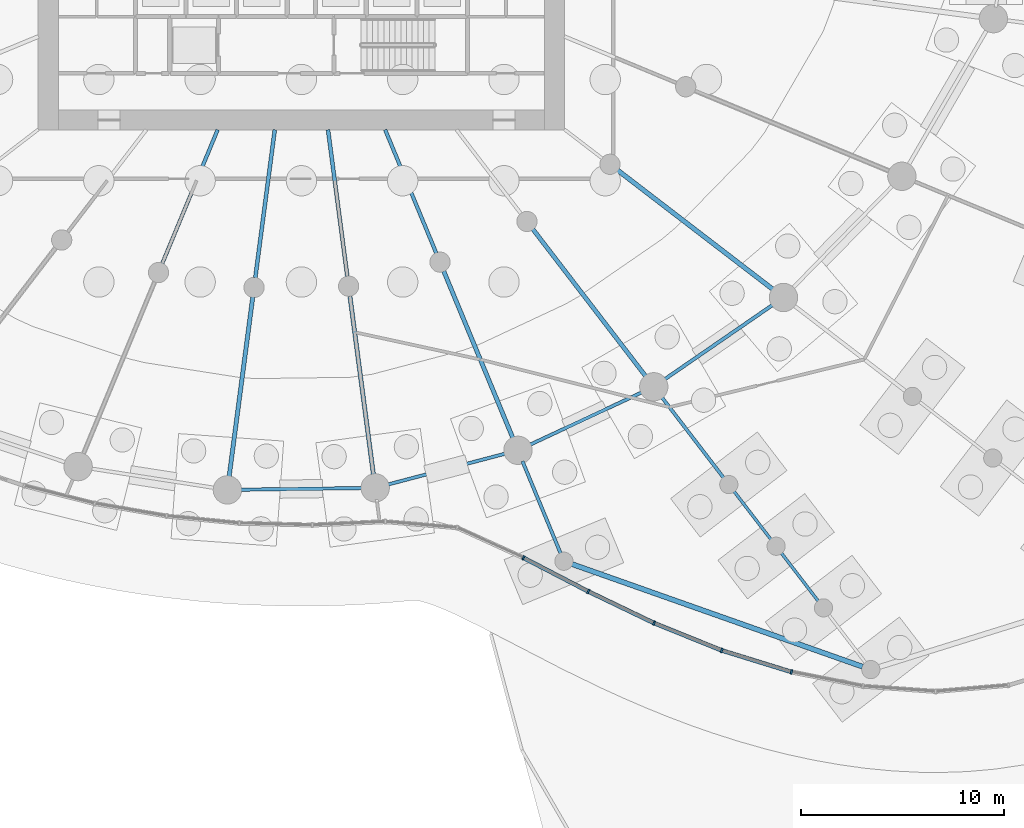
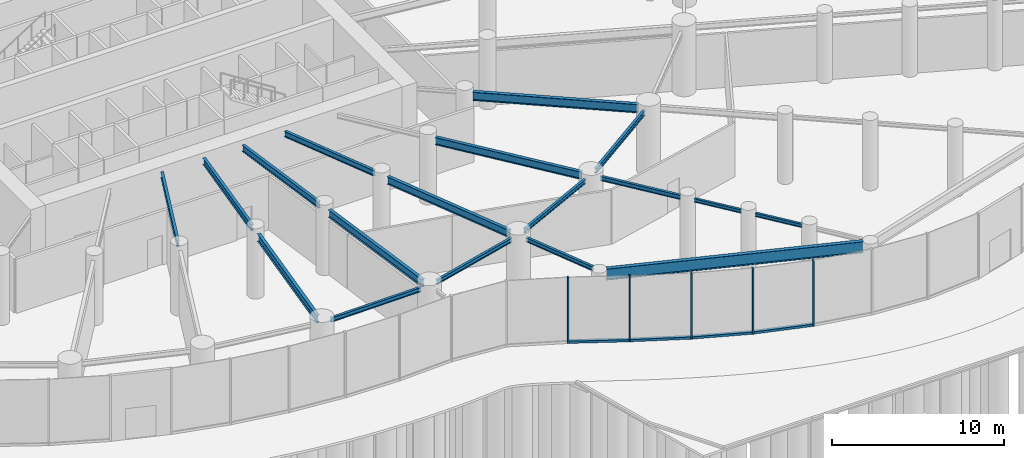
# One storey, part 6 of 28: 18 beams, 9 members, 2 elements without a shape of their own.
"""IFC4 building model written with IfcOpenShell, lengths in metres."""

from ifc_helpers import new_model, si_unit, direction, frame, origin, origin_2d, place, context, subcontext, project, spatial, rectangle, i_section, extrude, source, transform, mapped, material, layer, layer_set, material_profile, profile_set, type_object, element, aggregate, save


model = new_model("IFC4")

# Units and contexts
model_context = context("Model", 3, precision=1e-05, world=origin(), true_north=direction((0.0, 1.0)))
body_context = subcontext(model_context, "Body", "Model", "MODEL_VIEW")
ifc_project = project(units=[si_unit("LENGTHUNIT", "METRE"), si_unit("AREAUNIT", "SQUARE_METRE"), si_unit("VOLUMEUNIT", "CUBIC_METRE"), si_unit("PLANEANGLEUNIT", "RADIAN"), si_unit("MASSUNIT", "GRAM", prefix="KILO")], contexts=[model_context])

# Site, building, storey
site_placement = place(None, origin())
site = spatial("IfcSite", under=ifc_project, at=site_placement, CompositionType="ELEMENT")
building_placement = place(site_placement, origin())
building = spatial("IfcBuilding", under=site, at=building_placement, Name="Spindrift Exchange Tower", CompositionType="ELEMENT")
storey_placement = place(building_placement, origin())
storey = spatial("IfcBuildingStorey", under=building, at=storey_placement, Name="L00", CompositionType="ELEMENT", Elevation=0.0)

# Beams
ifc_material_1 = material(Name="Steel Grade 300", Category="steel")
ifc_material_profile_1 = material_profile(ifc_material_1, i_section(OverallWidth=0.14599609375, OverallDepth=0.251953125, WebThickness=0.006103515625, FlangeThickness=0.008544921875, FilletRadius=0.011962890625, at=origin_2d()), Name="250UB31.4")
ifc_profile_set_1 = profile_set([ifc_material_profile_1], Name="Steel Grade 300")
beam_type_1 = type_object("IfcBeamType", Name="Floor Beam 250UB31.4 Steel Grade 300", PredefinedType="BEAM", material=ifc_profile_set_1)
shared_shape_1 = source(origin(), body_context, "Body", "SweptSolid", [
    extrude(i_section(OverallWidth=0.14599609375, OverallDepth=0.251953125, WebThickness=0.006103515625, FlangeThickness=0.008544921875, FilletRadius=0.011962890625, at=origin_2d()), origin(), (0.0, 0.0, 1.0), 2.978515625),
])
beam_1_placement = place(storey_placement, frame((75.697998046875, 17.1162109375, 4.52392578125), z_axis=(0.608763600102, -0.793351674348, 0.0), x_axis=(0.793351674348, 0.608763600102, 0.0)))
element("IfcBeam", 1, at=beam_1_placement, inside=storey, type_object=beam_type_1, Name="L00 radial beam R21C3", PredefinedType="BEAM", context=body_context, shape_type="MappedRepresentation", body=[
    mapped(shared_shape_1, transform((0.0, 0.0, 0.0), scale=1.0)),
])
ifc_material_profile_2 = material_profile(ifc_material_1, i_section(OverallWidth=0.177978515625, OverallDepth=0.406005859375, WebThickness=0.0078125, FlangeThickness=0.0126953125, FilletRadius=0.013916015625, at=origin_2d()), Name="410UB59.7")
ifc_profile_set_2 = profile_set([ifc_material_profile_2], Name="Steel Grade 300")
beam_type_2 = type_object("IfcBeamType", Name="Floor Beam 410UB59.7 Steel Grade 300", PredefinedType="BEAM", material=ifc_profile_set_2)
shared_shape_2 = source(origin(), body_context, "Body", "SweptSolid", [
    extrude(i_section(OverallWidth=0.177978515625, OverallDepth=0.406005859375, WebThickness=0.0078125, FlangeThickness=0.0126953125, FilletRadius=0.013916015625, at=origin_2d()), origin(), (0.0, 0.0, 1.0), 7.150634765625),
])
beam_2_placement = place(storey_placement, frame((47.865478515625, 38.0185546875, 4.447021484375), z_axis=(-0.382665393358, -0.923887004306, 0.0), x_axis=(0.923887004306, -0.382665393358, 0.0)))
element("IfcBeam", 2, at=beam_2_placement, inside=storey, type_object=beam_type_2, Name="L00 radial beam R17A", PredefinedType="BEAM", context=body_context, shape_type="MappedRepresentation", body=[
    mapped(shared_shape_2, transform((0.0, 0.0, 0.0), scale=1.0)),
])
ifc_material_profile_3 = material_profile(ifc_material_1, i_section(OverallWidth=0.18994140625, OverallDepth=0.45703125, WebThickness=0.009033203125, FlangeThickness=0.014404296875, FilletRadius=0.013916015625, at=origin_2d()), Name="460UB74.6")
ifc_profile_set_3 = profile_set([ifc_material_profile_3], Name="Steel Grade 300")
beam_type_3 = type_object("IfcBeamType", Name="Floor Beam 460UB74.6 Steel Grade 300", PredefinedType="BEAM", material=ifc_profile_set_3)
shared_shape_3 = source(origin(), body_context, "Body", "SweptSolid", [
    extrude(i_section(OverallWidth=0.18994140625, OverallDepth=0.45703125, WebThickness=0.009033203125, FlangeThickness=0.014404296875, FilletRadius=0.013916015625, at=origin_2d()), origin(), (0.0, 0.0, 1.0), 7.374267578125),
])
beam_3_placement = place(storey_placement, frame((50.68603515625, 38.019775390625, 4.42138671875), z_axis=(-0.130539295622, -0.99144313619, 0.0), x_axis=(0.99144313619, -0.130539295622, 0.0)))
element("IfcBeam", 3, at=beam_3_placement, inside=storey, type_object=beam_type_3, Name="L00 radial beam R18A", PredefinedType="BEAM", context=body_context, shape_type="MappedRepresentation", body=[
    mapped(shared_shape_3, transform((0.0, 0.0, 0.0), scale=1.0)),
])
ifc_material_profile_4 = material_profile(ifc_material_1, i_section(OverallWidth=0.208984375, OverallDepth=0.532958984375, WebThickness=0.01025390625, FlangeThickness=0.015625, FilletRadius=0.013916015625, at=origin_2d()), Name="530UB92.4")
ifc_profile_set_4 = profile_set([ifc_material_profile_4], Name="Steel Grade 300")
beam_type_4 = type_object("IfcBeamType", Name="Floor Beam 530UB92.4 Steel Grade 300", PredefinedType="BEAM", material=ifc_profile_set_4)
shared_shape_4 = source(origin(), body_context, "Body", "SweptSolid", [
    extrude(i_section(OverallWidth=0.208984375, OverallDepth=0.532958984375, WebThickness=0.01025390625, FlangeThickness=0.015625, FilletRadius=0.013916015625, at=origin_2d()), origin(), (0.0, 0.0, 1.0), 9.020263671875),
])
beam_4_placement = place(storey_placement, frame((49.59814453125, 29.7568359375, 4.383544921875), z_axis=(-0.13051122338, -0.991446831944, 0.0), x_axis=(0.991446831944, -0.13051122338, 0.0)))
element("IfcBeam", 4, at=beam_4_placement, inside=storey, type_object=beam_type_4, Name="L00 radial beam R18B", PredefinedType="BEAM", context=body_context, shape_type="MappedRepresentation", body=[
    mapped(shared_shape_4, transform((0.0, 0.0, 0.0), scale=1.0)),
])
shared_shape_5 = source(origin(), body_context, "Body", "SweptSolid", [
    extrude(i_section(OverallWidth=0.18994140625, OverallDepth=0.45703125, WebThickness=0.009033203125, FlangeThickness=0.014404296875, FilletRadius=0.013916015625, at=origin_2d()), origin(), (0.0, 0.0, 1.0), 7.3095703125),
])
beam_5_placement = place(storey_placement, frame((53.31396484375, 38.019775390625, 4.42138671875), z_axis=(0.130527087244, -0.991444743541, 0.0), x_axis=(0.991444743541, 0.130527087244, 0.0)))
element("IfcBeam", 5, at=beam_5_placement, inside=storey, type_object=beam_type_3, Name="L00 radial beam R19A", PredefinedType="BEAM", context=body_context, shape_type="MappedRepresentation", body=[
    mapped(shared_shape_5, transform((0.0, 0.0, 0.0), scale=1.0)),
])
shared_shape_6 = source(origin(), body_context, "Body", "SweptSolid", [
    extrude(i_section(OverallWidth=0.208984375, OverallDepth=0.532958984375, WebThickness=0.01025390625, FlangeThickness=0.015625, FilletRadius=0.013916015625, at=origin_2d()), origin(), (0.0, 0.0, 1.0), 8.98388671875),
])
beam_6_placement = place(storey_placement, frame((54.393310546875, 29.82080078125, 4.383544921875), z_axis=(0.130524106785, -0.991445135924, 0.0), x_axis=(0.991445135924, 0.130524106785, 0.0)))
element("IfcBeam", 6, at=beam_6_placement, inside=storey, type_object=beam_type_4, Name="L00 radial beam R19B", PredefinedType="BEAM", context=body_context, shape_type="MappedRepresentation", body=[
    mapped(shared_shape_6, transform((0.0, 0.0, 0.0), scale=1.0)),
])
shared_shape_7 = source(origin(), body_context, "Body", "SweptSolid", [
    extrude(i_section(OverallWidth=0.177978515625, OverallDepth=0.406005859375, WebThickness=0.0078125, FlangeThickness=0.0126953125, FilletRadius=0.013916015625, at=origin_2d()), origin(), (0.0, 0.0, 1.0), 6.594482421875),
])
beam_7_placement = place(storey_placement, frame((56.134521484375, 38.0185546875, 4.447021484375), z_axis=(0.382692929746, -0.92387559851, 0.0), x_axis=(0.92387559851, 0.382692929746, 0.0)))
element("IfcBeam", 7, at=beam_7_placement, inside=storey, type_object=beam_type_2, Name="L00 radial beam R20A", PredefinedType="BEAM", context=body_context, shape_type="MappedRepresentation", body=[
    mapped(shared_shape_7, transform((0.0, 0.0, 0.0), scale=1.0)),
])
shared_shape_8 = source(origin(), body_context, "Body", "SweptSolid", [
    extrude(i_section(OverallWidth=0.208984375, OverallDepth=0.532958984375, WebThickness=0.01025390625, FlangeThickness=0.015625, FilletRadius=0.013916015625, at=origin_2d()), origin(), (0.0, 0.0, 1.0), 8.99658203125),
])
beam_8_placement = place(storey_placement, frame((59.025390625, 31.0390625, 4.383544921875), z_axis=(0.382685731718, -0.923878580085, 0.0), x_axis=(0.923878580085, 0.382685731718, 0.0)))
element("IfcBeam", 8, at=beam_8_placement, inside=storey, type_object=beam_type_4, Name="L00 radial beam R20B", PredefinedType="BEAM", context=body_context, shape_type="MappedRepresentation", body=[
    mapped(shared_shape_8, transform((0.0, 0.0, 0.0), scale=1.0)),
])
shared_shape_9 = source(origin(), body_context, "Body", "SweptSolid", [
    extrude(i_section(OverallWidth=0.208984375, OverallDepth=0.532958984375, WebThickness=0.01025390625, FlangeThickness=0.015625, FilletRadius=0.013916015625, at=origin_2d()), origin(), (0.0, 0.0, 1.0), 9.227783203125),
])
beam_9_placement = place(storey_placement, frame((63.426025390625, 33.109375, 4.383544921875), z_axis=(0.608747534474, -0.79336400175, 0.0), x_axis=(0.79336400175, 0.608747534474, 0.0)))
element("IfcBeam", 9, at=beam_9_placement, inside=storey, type_object=beam_type_4, Name="L00 radial beam R21B", PredefinedType="BEAM", context=body_context, shape_type="MappedRepresentation", body=[
    mapped(shared_shape_9, transform((0.0, 0.0, 0.0), scale=1.0)),
])
ifc_material_profile_5 = material_profile(ifc_material_1, i_section(OverallWidth=0.22802734375, OverallDepth=0.60693359375, WebThickness=0.01123046875, FlangeThickness=0.017333984375, FilletRadius=0.013916015625, at=origin_2d()), Name="610UB113")
ifc_profile_set_5 = profile_set([ifc_material_profile_5], Name="Steel Grade 300")
beam_type_5 = type_object("IfcBeamType", Name="Floor Beam 610UB113 Steel Grade 300", PredefinedType="BEAM", material=ifc_profile_set_5)
shared_shape_10 = source(origin(), body_context, "Body", "SweptSolid", [
    extrude(i_section(OverallWidth=0.22802734375, OverallDepth=0.60693359375, WebThickness=0.01123046875, FlangeThickness=0.017333984375, FilletRadius=0.013916015625, at=origin_2d()), origin(), (0.0, 0.0, 1.0), 9.73974609375),
])
beam_10_placement = place(storey_placement, frame((67.61328125, 36.01953125, 4.346435546875), z_axis=(0.793352119621, -0.608763019814, 0.0), x_axis=(0.608763019814, 0.793352119621, 0.0)))
element("IfcBeam", 10, at=beam_10_placement, inside=storey, type_object=beam_type_5, Name="L00 radial beam R22B", PredefinedType="BEAM", context=body_context, shape_type="MappedRepresentation", body=[
    mapped(shared_shape_10, transform((0.0, 0.0, 0.0), scale=1.0)),
])
ifc_material_profile_6 = material_profile(ifc_material_1, i_section(OverallWidth=0.1650390625, OverallDepth=0.303955078125, WebThickness=0.006103515625, FlangeThickness=0.01025390625, FilletRadius=0.011474609375, at=origin_2d()), Name="310UB40.4")
ifc_profile_set_6 = profile_set([ifc_material_profile_6], Name="Steel Grade 300")
beam_type_6 = type_object("IfcBeamType", Name="Floor Beam 310UB40.4 Steel Grade 300", PredefinedType="BEAM", material=ifc_profile_set_6)
shared_shape_11 = source(origin(), body_context, "Body", "SweptSolid", [
    extrude(i_section(OverallWidth=0.1650390625, OverallDepth=0.303955078125, WebThickness=0.006103515625, FlangeThickness=0.01025390625, FilletRadius=0.011474609375, at=origin_2d()), origin(), (0.0, 0.0, 1.0), 4.916015625),
])
beam_11_placement = place(storey_placement, frame((62.912109375, 21.655517578125, 4.498046875), z_axis=(0.382699756526, -0.923872770653, 0.0), x_axis=(0.923872770653, 0.382699756526, 0.0)))
element("IfcBeam", 11, at=beam_11_placement, inside=storey, type_object=beam_type_6, Name="L00 radial beam R20C1", PredefinedType="BEAM", context=body_context, shape_type="MappedRepresentation", body=[
    mapped(shared_shape_11, transform((0.0, 0.0, 0.0), scale=1.0)),
])
shared_shape_12 = source(origin(), body_context, "Body", "SweptSolid", [
    extrude(i_section(OverallWidth=0.1650390625, OverallDepth=0.303955078125, WebThickness=0.006103515625, FlangeThickness=0.01025390625, FilletRadius=0.011474609375, at=origin_2d()), origin(), (0.0, 0.0, 1.0), 5.072509765625),
])
beam_12_placement = place(storey_placement, frame((69.749755859375, 24.8681640625, 4.498046875), z_axis=(0.608742705523, -0.793367706976, 0.0), x_axis=(0.793367706976, 0.608742705523, 0.0)))
element("IfcBeam", 12, at=beam_12_placement, inside=storey, type_object=beam_type_6, Name="L00 radial beam R21C1", PredefinedType="BEAM", context=body_context, shape_type="MappedRepresentation", body=[
    mapped(shared_shape_12, transform((0.0, 0.0, 0.0), scale=1.0)),
])
shared_shape_13 = source(origin(), body_context, "Body", "SweptSolid", [
    extrude(i_section(OverallWidth=0.14599609375, OverallDepth=0.251953125, WebThickness=0.006103515625, FlangeThickness=0.008544921875, FilletRadius=0.011962890625, at=origin_2d()), origin(), (0.0, 0.0, 1.0), 2.978759765625),
])
beam_13_placement = place(storey_placement, frame((73.361328125, 20.16162109375, 4.52392578125), z_axis=(0.608724015184, -0.793382047527, 0.0), x_axis=(0.793382047527, 0.608724015184, 0.0)))
element("IfcBeam", 13, at=beam_13_placement, inside=storey, type_object=beam_type_1, Name="L00 radial beam R21C2", PredefinedType="BEAM", context=body_context, shape_type="MappedRepresentation", body=[
    mapped(shared_shape_13, transform((0.0, 0.0, 0.0), scale=1.0)),
])
ifc_material_profile_7 = material_profile(ifc_material_1, i_section(OverallWidth=0.1650390625, OverallDepth=0.303955078125, WebThickness=0.006103515625, FlangeThickness=0.01025390625, FilletRadius=0.011474609375, at=origin_2d()), Name="310UB40.4")
ifc_profile_set_7 = profile_set([ifc_material_profile_7], Name="Steel Grade 300")
beam_type_7 = type_object("IfcBeamType", Name="Edge Beam 310UB40.4 Steel Grade 300", PredefinedType="SPANDREL", material=ifc_profile_set_7)
shared_shape_14 = source(origin(), body_context, "Body", "SweptSolid", [
    extrude(i_section(OverallWidth=0.1650390625, OverallDepth=0.303955078125, WebThickness=0.006103515625, FlangeThickness=0.01025390625, FilletRadius=0.011474609375, at=origin_2d()), origin(), (0.0, 0.0, 1.0), 6.13720703125),
])
beam_14_placement = place(storey_placement, frame((48.925048828125, 20.24658203125, 4.498046875), z_axis=(0.999905820907, 0.013724041543, 0.0), x_axis=(-0.013724041543, 0.999905820907, 0.0)))
element("IfcBeam", 14, at=beam_14_placement, inside=storey, type_object=beam_type_7, Name="L00 edge beam E18", PredefinedType="SPANDREL", context=body_context, shape_type="MappedRepresentation", body=[
    mapped(shared_shape_14, transform((0.0, 0.0, 0.0), scale=1.0)),
])
shared_shape_15 = source(origin(), body_context, "Body", "SweptSolid", [
    extrude(i_section(OverallWidth=0.1650390625, OverallDepth=0.303955078125, WebThickness=0.006103515625, FlangeThickness=0.01025390625, FilletRadius=0.011474609375, at=origin_2d()), origin(), (0.0, 0.0, 1.0), 6.128173828125),
])
beam_15_placement = place(storey_placement, frame((56.20263671875, 20.486083984375, 4.498046875), z_axis=(0.967147261855, 0.254216785216, 0.0), x_axis=(-0.254216785216, 0.967147261855, 0.0)))
element("IfcBeam", 15, at=beam_15_placement, inside=storey, type_object=beam_type_7, Name="L00 edge beam E19", PredefinedType="SPANDREL", context=body_context, shape_type="MappedRepresentation", body=[
    mapped(shared_shape_15, transform((0.0, 0.0, 0.0), scale=1.0)),
])
shared_shape_16 = source(origin(), body_context, "Body", "SweptSolid", [
    extrude(i_section(OverallWidth=0.1650390625, OverallDepth=0.303955078125, WebThickness=0.006103515625, FlangeThickness=0.01025390625, FilletRadius=0.011474609375, at=origin_2d()), origin(), (0.0, 0.0, 1.0), 6.243408203125),
])
beam_16_placement = place(storey_placement, frame((63.2158203125, 22.43701171875, 4.498046875), z_axis=(0.905791146607, 0.423724437257, 0.0), x_axis=(-0.423724437257, 0.905791146607, 0.0)))
element("IfcBeam", 16, at=beam_16_placement, inside=storey, type_object=beam_type_7, Name="L00 edge beam E20", PredefinedType="SPANDREL", context=body_context, shape_type="MappedRepresentation", body=[
    mapped(shared_shape_16, transform((0.0, 0.0, 0.0), scale=1.0)),
])
ifc_material_profile_8 = material_profile(ifc_material_1, i_section(OverallWidth=0.172119140625, OverallDepth=0.35888671875, WebThickness=0.008056640625, FlangeThickness=0.012939453125, FilletRadius=0.013916015625, at=origin_2d()), Name="360UB56.7")
ifc_profile_set_8 = profile_set([ifc_material_profile_8], Name="Steel Grade 300")
beam_type_8 = type_object("IfcBeamType", Name="Edge Beam 360UB56.7 Steel Grade 300", PredefinedType="SPANDREL", material=ifc_profile_set_8)
shared_shape_17 = source(origin(), body_context, "Body", "SweptSolid", [
    extrude(i_section(OverallWidth=0.172119140625, OverallDepth=0.35888671875, WebThickness=0.008056640625, FlangeThickness=0.012939453125, FilletRadius=0.013916015625, at=origin_2d()), origin(), (0.0, 0.0, 1.0), 6.614990234375),
])
beam_17_placement = place(storey_placement, frame((69.874267578125, 25.6572265625, 4.470458984375), z_axis=(0.823690708835, 0.567039342708, 0.0), x_axis=(-0.567039342708, 0.823690708835, 0.0)))
element("IfcBeam", 17, at=beam_17_placement, inside=storey, type_object=beam_type_8, Name="L00 edge beam E21", PredefinedType="SPANDREL", context=body_context, shape_type="MappedRepresentation", body=[
    mapped(shared_shape_17, transform((0.0, 0.0, 0.0), scale=1.0)),
])
ifc_material_profile_9 = material_profile(ifc_material_1, i_section(OverallWidth=0.25, OverallDepth=0.800048828125, WebThickness=0.008056640625, FlangeThickness=0.012939453125, at=origin_2d()), Name="800WB122")
ifc_profile_set_9 = profile_set([ifc_material_profile_9], Name="Steel Grade 300")
beam_type_9 = type_object("IfcBeamType", Name="Edge Beam 800WB122 Steel Grade 300", PredefinedType="SPANDREL", material=ifc_profile_set_9)
shared_shape_18 = source(origin(), body_context, "Body", "SweptSolid", [
    extrude(i_section(OverallWidth=0.25, OverallDepth=0.800048828125, WebThickness=0.008056640625, FlangeThickness=0.012939453125, at=origin_2d()), origin(), (0.0, 0.0, 1.0), 15.208251953125),
])
beam_18_placement = place(storey_placement, frame((65.363525390625, 16.5732421875, 4.25), z_axis=(0.942952095919, -0.332928437959, 0.0), x_axis=(0.332928437959, 0.942952095919, 0.0)))
element("IfcBeam", 18, at=beam_18_placement, inside=storey, type_object=beam_type_9, Name="L00 cascade edge beam G20", PredefinedType="SPANDREL", context=body_context, shape_type="MappedRepresentation", body=[
    mapped(shared_shape_18, transform((0.0, 0.0, 0.0), scale=1.0)),
])

# Curtain wall, members
ifc_material_2 = material(Name="Fritted laminated glass with bronze frame", Category="glass")
ifc_layer = layer(ifc_material_2, 0.219970703125)
ifc_layer_set = layer_set([ifc_layer], Name="PODIUM BRONZE GLAZED WALL")
curtain_wall_type = type_object("IfcCurtainWallType", Name="PODIUM BRONZE GLAZED WALL", PredefinedType="NOTDEFINED", material=ifc_layer_set)
curtain_wall_1_placement = place(storey_placement, origin())
curtain_wall_1 = element("IfcCurtainWall", 19, at=curtain_wall_1_placement, inside=storey, type_object=curtain_wall_type, Name="L00 Podium Bronze Glazed Wall run 10", PredefinedType="NOTDEFINED")
ifc_material_3 = material(Name="Bronze anodised aluminium", Category="aluminium")
ifc_material_profile_10 = material_profile(ifc_material_3, rectangle(XDim=0.090087890625, YDim=0.219970703125, at=origin_2d()), Name="PODIUM BRONZE GLAZED WALL MULLION 90X220")
ifc_profile_set_10 = profile_set([ifc_material_profile_10], Name="Bronze anodised aluminium")
member_type_1 = type_object("IfcMemberType", Name="PODIUM BRONZE GLAZED WALL MULLION 90X220", PredefinedType="MULLION", material=ifc_profile_set_10)
shared_shape_19 = source(origin(), body_context, "Body", "SweptSolid", [
    extrude(rectangle(XDim=0.090087890625, YDim=0.219970703125, at=origin_2d()), origin(), (0.0, 0.0, 1.0), 4.64990234375),
])
member_1_placement = place(storey_placement, frame((62.9638671875, 16.88525390625, 0.0), z_axis=(0.0, 0.0, 1.0), x_axis=(0.899429862296, -0.437065124221, 0.0)))
member_1 = element("IfcMember", 20, at=member_1_placement, type_object=member_type_1, Name="L00 mullion CW-P.57", PredefinedType="MULLION", context=body_context, shape_type="MappedRepresentation", body=[
    mapped(shared_shape_19, transform((0.0, 0.0, 0.0), scale=1.0)),
])
member_2_placement = place(storey_placement, frame((66.16259765625, 15.225341796875, 0.0), z_axis=(0.0, 0.0, 1.0), x_axis=(0.894552533493, -0.446962822638, 0.0)))
member_2 = element("IfcMember", 21, at=member_2_placement, type_object=member_type_1, Name="L00 mullion CW-P.58", PredefinedType="MULLION", context=body_context, shape_type="MappedRepresentation", body=[
    mapped(shared_shape_19, transform((0.0, 0.0, 0.0), scale=1.0)),
])
member_3_placement = place(storey_placement, frame((69.409912109375, 13.664306640625, 0.0), z_axis=(0.0, 0.0, 1.0), x_axis=(0.914689743658, -0.404156742919, 0.0)))
member_3 = element("IfcMember", 22, at=member_3_placement, type_object=member_type_1, Name="L00 mullion CW-P.59", PredefinedType="MULLION", context=body_context, shape_type="MappedRepresentation", body=[
    mapped(shared_shape_19, transform((0.0, 0.0, 0.0), scale=1.0)),
])
member_4_placement = place(storey_placement, frame((72.750244140625, 12.314453125, 0.0), z_axis=(0.0, 0.0, 1.0), x_axis=(0.94214297999, -0.3352112845, 0.0)))
member_4 = element("IfcMember", 23, at=member_4_placement, type_object=member_type_1, Name="L00 mullion CW-P.60", PredefinedType="MULLION", context=body_context, shape_type="MappedRepresentation", body=[
    mapped(shared_shape_19, transform((0.0, 0.0, 0.0), scale=1.0)),
])

# Curtain wall, member
curtain_wall_2_placement = place(storey_placement, origin())
curtain_wall_2 = element("IfcCurtainWall", 24, at=curtain_wall_2_placement, inside=storey, type_object=curtain_wall_type, Name="L00 Podium Bronze Glazed Wall run 11", PredefinedType="NOTDEFINED")
member_5_placement = place(storey_placement, frame((76.19189453125, 11.25146484375, 0.0), z_axis=(0.0, 0.0, 1.0), x_axis=(0.969369763805, -0.245605905915, 0.0)))
member_5 = element("IfcMember", 25, at=member_5_placement, type_object=member_type_1, Name="L00 mullion CW-P.61", PredefinedType="MULLION", context=body_context, shape_type="MappedRepresentation", body=[
    mapped(shared_shape_19, transform((0.0, 0.0, 0.0), scale=1.0)),
])
aggregate(curtain_wall_2, [member_5])

# Member
ifc_material_profile_11 = material_profile(ifc_material_3, rectangle(XDim=0.199951171875, YDim=0.159912109375, at=origin_2d()), Name="PODIUM BRONZE GLAZED WALL TRANSOM 200X160")
ifc_profile_set_11 = profile_set([ifc_material_profile_11], Name="Bronze anodised aluminium")
member_type_2 = type_object("IfcMemberType", Name="PODIUM BRONZE GLAZED WALL TRANSOM 200X160", PredefinedType="USERDEFINED", material=ifc_profile_set_11)
shared_shape_20 = source(origin(), body_context, "Body", "SweptSolid", [
    extrude(rectangle(XDim=0.199951171875, YDim=0.159912109375, at=origin_2d()), origin(), (0.0, 0.0, 1.0), 3.51220703125),
])
member_6_placement = place(storey_placement, frame((72.793212890625, 12.30126953125, 0.080078125), z_axis=(0.955450766922, -0.295150524289, 0.0), x_axis=(0.295150524289, 0.955450766922, 0.0)))
member_6 = element("IfcMember", 26, at=member_6_placement, type_object=member_type_2, Name="L00 transom CW-P.60", ObjectType="TRANSOM", PredefinedType="USERDEFINED", context=body_context, shape_type="MappedRepresentation", body=[
    mapped(shared_shape_20, transform((0.0, 0.0, 0.0), scale=1.0)),
])

shared_shape_21 = source(origin(), body_context, "Body", "SweptSolid", [
    extrude(rectangle(XDim=0.199951171875, YDim=0.159912109375, at=origin_2d()), origin(), (0.0, 0.0, 1.0), 3.5126953125),
])
member_7_placement = place(storey_placement, frame((69.45166015625, 13.6474609375, 0.080078125), z_axis=(0.927152707244, -0.374683676518, 0.0), x_axis=(0.374683676518, 0.927152707244, 0.0)))
member_7 = element("IfcMember", 27, at=member_7_placement, type_object=member_type_2, Name="L00 transom CW-P.59", ObjectType="TRANSOM", PredefinedType="USERDEFINED", context=body_context, shape_type="MappedRepresentation", body=[
    mapped(shared_shape_21, transform((0.0, 0.0, 0.0), scale=1.0)),
])

shared_shape_22 = source(origin(), body_context, "Body", "SweptSolid", [
    extrude(rectangle(XDim=0.199951171875, YDim=0.159912109375, at=origin_2d()), origin(), (0.0, 0.0, 1.0), 3.51318359375),
])
member_8_placement = place(storey_placement, frame((66.203125, 15.205810546875, 0.080078125), z_axis=(0.901282170236, -0.433232558351, 0.0), x_axis=(0.433232558351, 0.901282170236, 0.0)))
member_8 = element("IfcMember", 28, at=member_8_placement, type_object=member_type_2, Name="L00 transom CW-P.58", ObjectType="TRANSOM", PredefinedType="USERDEFINED", context=body_context, shape_type="MappedRepresentation", body=[
    mapped(shared_shape_22, transform((0.0, 0.0, 0.0), scale=1.0)),
])

shared_shape_23 = source(origin(), body_context, "Body", "SweptSolid", [
    extrude(rectangle(XDim=0.199951171875, YDim=0.159912109375, at=origin_2d()), origin(), (0.0, 0.0, 1.0), 3.513671875),
])
member_9_placement = place(storey_placement, frame((63.00390625, 16.864501953125, 0.080078125), z_axis=(0.88759988691, -0.46061528498, 0.0), x_axis=(0.46061528498, 0.88759988691, 0.0)))
member_9 = element("IfcMember", 29, at=member_9_placement, type_object=member_type_2, Name="L00 transom CW-P.57", ObjectType="TRANSOM", PredefinedType="USERDEFINED", context=body_context, shape_type="MappedRepresentation", body=[
    mapped(shared_shape_23, transform((0.0, 0.0, 0.0), scale=1.0)),
])

aggregate(curtain_wall_1, [member_1, member_9, member_2, member_8, member_3, member_7, member_4, member_6])

save(model, "model.ifc")
